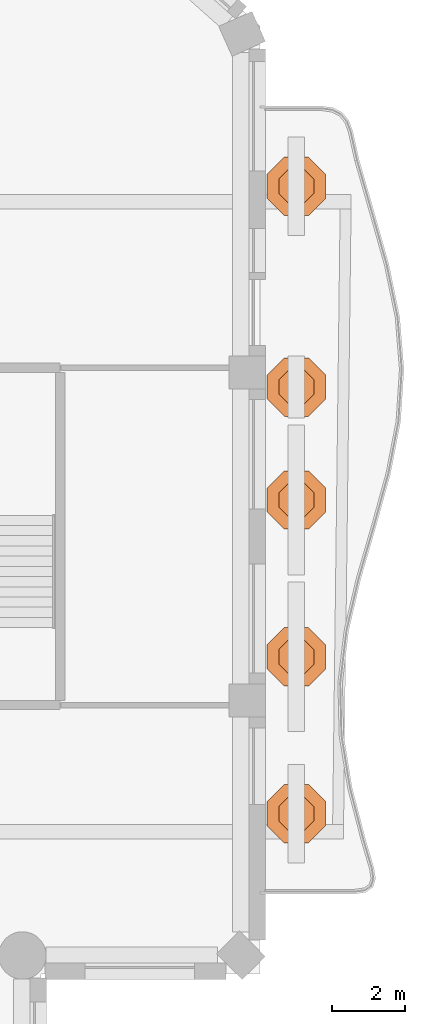
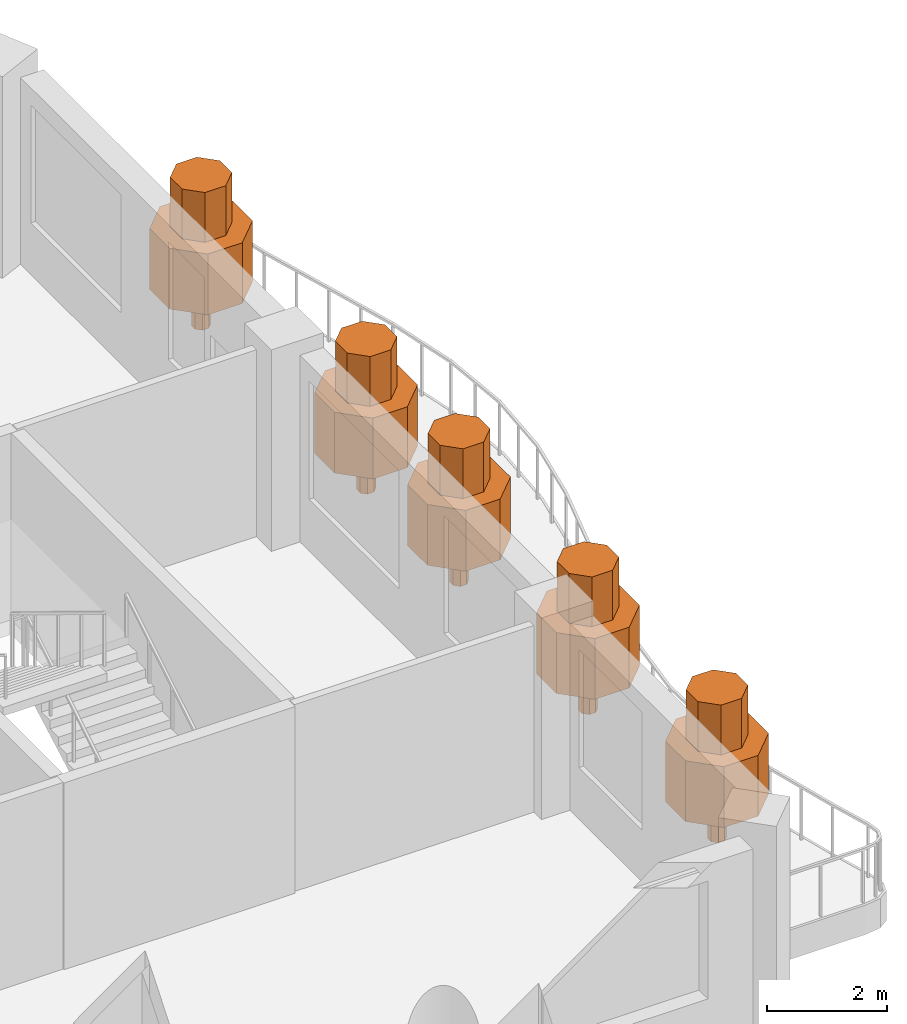
# One storey, part 14 of 14: 5 geographic elements.
"""IFC4 building model written with IfcOpenShell, lengths in metres."""

from ifc_helpers import new_model, si_unit, direction, frame, origin, place, context, subcontext, project, spatial, polyline, outline, extrude, material, type_object, element, save


model = new_model("IFC4")

# Units and contexts
model_context = context("Model", 3, precision=1e-05, world=origin(), true_north=direction((0.0, 1.0)))
body_context = subcontext(model_context, "Body", "Model", "MODEL_VIEW")
ifc_project = project(units=[si_unit("LENGTHUNIT", "METRE"), si_unit("AREAUNIT", "SQUARE_METRE"), si_unit("VOLUMEUNIT", "CUBIC_METRE"), si_unit("PLANEANGLEUNIT", "RADIAN"), si_unit("MASSUNIT", "GRAM", prefix="KILO")], contexts=[model_context])

# Site, building, storey
site_placement = place(None, origin())
site = spatial("IfcSite", under=ifc_project, at=site_placement, CompositionType="ELEMENT")
building_placement = place(site_placement, origin())
building = spatial("IfcBuilding", under=site, at=building_placement, Name="Cypress Arch Tower", CompositionType="ELEMENT")
storey_placement = place(building_placement, frame((0.0, 0.0, 251.60009765625)))
storey = spatial("IfcBuildingStorey", under=building, at=storey_placement, Name="L56", CompositionType="ELEMENT", Elevation=251.60009765625)

# Geographic elements
ifc_material = material(Name="Foliage and planting")
geographic_element_type = type_object("IfcGeographicElementType", Name="Balcony tree TR", PredefinedType="USERDEFINED", material=ifc_material)
for number, where, z_axis, x_axis, name in (
    (1, (25.60009765625, -7.60009765625, 0.599853515625), (0.0, 0.0, 1.0), (1.0, 0.0, 0.0), "Balcony tree L56-C17.1"),
    (2, (25.60009765625, -3.300048828125, 0.599853515625), (0.0, 0.0, 1.0), (1.0, 0.0, 0.0), "Balcony tree L56-C17.2"),
    (3, (25.60009765625, 1.0, 0.599853515625), (0.0, 0.0, 1.0), (1.0, 0.0, 0.0), "Balcony tree L56-C17.3"),
    (4, (25.60009765625, 4.095703125, 0.599853515625), (0.0, 0.0, 1.0), (1.0, 0.0, 0.0), "Balcony tree L56-C17.4"),
    (5, (25.60009765625, 9.60009765625, 0.599853515625), (0.0, 0.0, 1.0), (1.0, 0.0, 0.0), "Balcony tree L56-C17.5"),
):
    element("IfcGeographicElement", number, at=place(storey_placement, frame(where, z_axis=z_axis, x_axis=x_axis)), inside=storey, type_object=geographic_element_type, Name=name, ObjectType="TREE", PredefinedType="USERDEFINED", context=body_context, shape_type="SweptSolid", body=[
        extrude(outline(polyline([(0.14990234375, 0.06201171875), (0.06201171875, 0.14990234375), (-0.06201171875, 0.14990234375), (-0.14990234375, 0.06201171875), (-0.14990234375, -0.06201171875), (-0.06201171875, -0.14990234375), (0.06201171875, -0.14990234375), (0.14990234375, -0.06201171875), (0.14990234375, 0.06201171875)])), origin(), (0.0, 0.0, 1.0), 0.89990234375),
        extrude(outline(polyline([(0.800048828125, 0.331298828125), (0.331298828125, 0.800048828125), (-0.331298828125, 0.800048828125), (-0.800048828125, 0.331298828125), (-0.800048828125, -0.331298828125), (-0.331298828125, -0.800048828125), (0.331298828125, -0.800048828125), (0.800048828125, -0.331298828125), (0.800048828125, 0.331298828125)])), frame((0.0, 0.0, 0.800048828125)), (0.0, 0.0, 1.0), 1.237548828125),
        extrude(outline(polyline([(0.47998046875, 0.19873046875), (0.19873046875, 0.47998046875), (-0.19873046875, 0.47998046875), (-0.47998046875, 0.19873046875), (-0.47998046875, -0.19873046875), (-0.19873046875, -0.47998046875), (0.19873046875, -0.47998046875), (0.47998046875, -0.19873046875), (0.47998046875, 0.19873046875)])), frame((0.0, 0.0, 2.03759765625)), (0.0, 0.0, 1.0), 1.012451171875),
    ])

save(model, "model.ifc")
